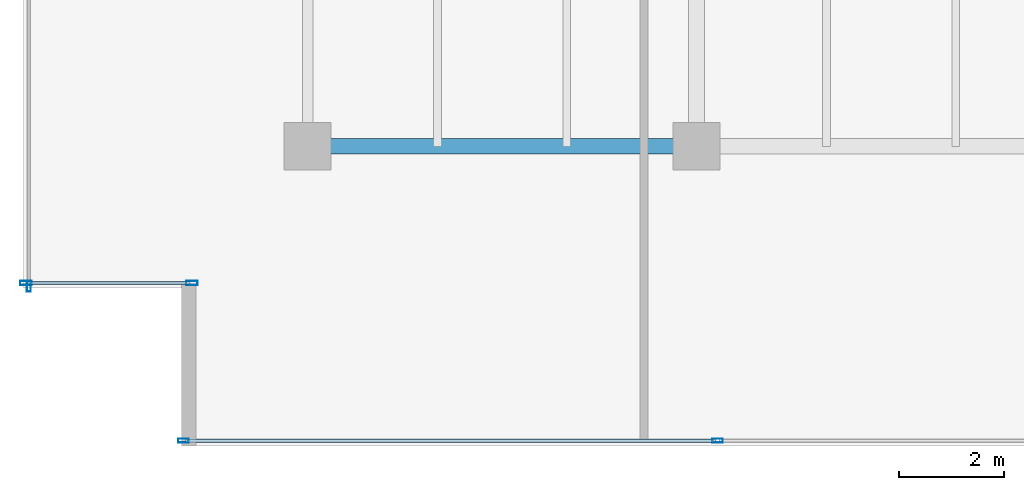
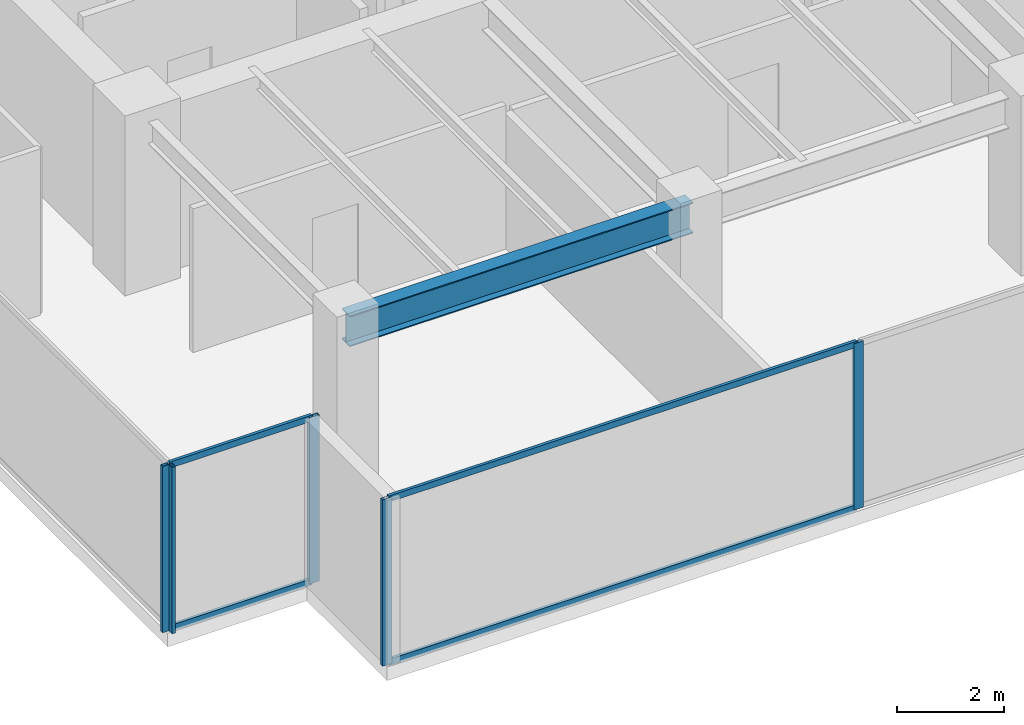
# One storey, part 2 of 30: 9 members, 1 beam, 3 elements without a shape of their own.
"""IFC4 building model written with IfcOpenShell, lengths in metres."""

from ifc_helpers import new_model, si_unit, direction, frame, origin, origin_2d, place, context, subcontext, project, spatial, hollow_rectangle, i_section, extrude, source, transform, mapped, material, layer, layer_set, material_profile, profile_set, type_object, type_shapes, element, aggregate, save


model = new_model("IFC4")

# Units and contexts
model_context = context("Model", 3, precision=1e-05, world=origin(), true_north=direction((0.0, 1.0)))
body_context = subcontext(model_context, "Body", "Model", "MODEL_VIEW")
ifc_project = project(units=[si_unit("LENGTHUNIT", "METRE"), si_unit("AREAUNIT", "SQUARE_METRE"), si_unit("VOLUMEUNIT", "CUBIC_METRE"), si_unit("PLANEANGLEUNIT", "RADIAN"), si_unit("MASSUNIT", "GRAM", prefix="KILO")], contexts=[model_context])

# Site, building, storey
site_placement = place(None, origin())
site = spatial("IfcSite", under=ifc_project, at=site_placement, CompositionType="ELEMENT")
building_placement = place(site_placement, origin())
building = spatial("IfcBuilding", under=site, at=building_placement, Name="Haelvirn Gate Laboratories", CompositionType="ELEMENT")
storey_placement = place(building_placement, frame((0.0, 0.0, 129.699951171875)))
storey = spatial("IfcBuildingStorey", under=building, at=storey_placement, Name="L31", CompositionType="ELEMENT", Elevation=129.699951171875)

# Beam
ifc_material_1 = material(Name="Steel SM355", Category="steel")
ifc_material_profile_1 = material_profile(ifc_material_1, i_section(OverallWidth=0.300048828125, OverallDepth=0.699951171875, WebThickness=0.012939453125, FlangeThickness=0.02392578125, at=origin_2d()), Name="H-700x300x13x24")
ifc_profile_set_1 = profile_set([ifc_material_profile_1], Name="Steel SM355")
beam_type = type_object("IfcBeamType", Name="BM-G-700", PredefinedType="BEAM", material=ifc_profile_set_1)
shared_shape_1 = source(origin(), body_context, "Body", "SweptSolid", [
    extrude(i_section(OverallWidth=0.300048828125, OverallDepth=0.699951171875, WebThickness=0.012939453125, FlangeThickness=0.02392578125, at=origin_2d()), origin(), (0.0, 0.0, 1.0), 7.400146484375),
])
type_shapes(beam_type, [shared_shape_1])
beam_placement = place(storey_placement, frame((7.39990234375, 7.0, 3.43994140625), z_axis=(1.0, 0.0, 0.0), x_axis=(0.0, 1.0, 0.0)))
element("IfcBeam", 1, at=beam_placement, inside=storey, type_object=beam_type, Name="L31 Primary Girder Y7.0 (7.4-14.8)", PredefinedType="BEAM", context=body_context, shape_type="MappedRepresentation", body=[
    mapped(shared_shape_1, transform((0.0, 0.0, 0.0), scale=1.0)),
])

# Curtain wall, members
ifc_material_2 = material(Name="Anodised bronze unitised aluminium & triple low-E glass", Category="aluminium")
ifc_layer_1 = layer(ifc_material_2, 0.179931640625, Name="CW-SYS-3")
ifc_layer_set_1 = layer_set([ifc_layer_1], Name="Anodised bronze unitised aluminium & triple low-E glass")
curtain_wall_type_1 = type_object("IfcCurtainWallType", Name="CW-SYS-3", PredefinedType="NOTDEFINED", material=ifc_layer_set_1)
curtain_wall_1_placement = place(storey_placement, origin())
curtain_wall_1 = element("IfcCurtainWall", 2, at=curtain_wall_1_placement, inside=storey, type_object=curtain_wall_type_1, Name="L31 Unitised Curtain Wall CW-L31-P0-E00-1", PredefinedType="NOTDEFINED")
ifc_material_3 = material(Name="Extruded aluminium 6063-T6 (anodised bronze)", Category="aluminium")
ifc_material_profile_2 = material_profile(ifc_material_3, hollow_rectangle(XDim=0.06494140625, YDim=0.139892578125, WallThickness=0.00390625, at=origin_2d()), Name="CWT-140x65x4")
ifc_profile_set_2 = profile_set([ifc_material_profile_2], Name="Extruded aluminium 6063-T6 (anodised bronze)")
member_type_1 = type_object("IfcMemberType", Name="CWT-T140", PredefinedType="USERDEFINED", material=ifc_profile_set_2)
shared_shape_2 = source(origin(), body_context, "Body", "SweptSolid", [
    extrude(hollow_rectangle(XDim=0.06494140625, YDim=0.139892578125, WallThickness=0.00390625, at=origin_2d()), origin(), (0.0, 0.0, 1.0), 10.087646484375),
])
member_1_placement = place(storey_placement, frame((5.074951171875, 1.39990234375, 0.032470703125), z_axis=(1.0, 0.0, 0.0), x_axis=(0.0, 1.0, 0.0)))
member_1 = element("IfcMember", 3, at=member_1_placement, type_object=member_type_1, Name="CW3 transom 1.1", ObjectType="TRANSOM", PredefinedType="USERDEFINED", context=body_context, shape_type="MappedRepresentation", body=[
    mapped(shared_shape_2, transform((0.0, 0.0, 0.0), scale=1.0)),
])
member_2_placement = place(storey_placement, frame((5.074951171875, 1.39990234375, 3.757568359375), z_axis=(1.0, 0.0, 0.0), x_axis=(0.0, 1.0, 0.0)))
member_2 = element("IfcMember", 4, at=member_2_placement, type_object=member_type_1, Name="CW3 transom 1.2", ObjectType="TRANSOM", PredefinedType="USERDEFINED", context=body_context, shape_type="MappedRepresentation", body=[
    mapped(shared_shape_2, transform((0.0, 0.0, 0.0), scale=1.0)),
])

ifc_layer_2 = layer(ifc_material_2, 0.181884765625, Name="CW-SYS-5")
ifc_layer_set_2 = layer_set([ifc_layer_2], Name="Anodised bronze unitised aluminium & triple low-E glass")
curtain_wall_type_2 = type_object("IfcCurtainWallType", Name="CW-SYS-5", PredefinedType="NOTDEFINED", material=ifc_layer_set_2)
curtain_wall_2_placement = place(storey_placement, origin())
curtain_wall_2 = element("IfcCurtainWall", 5, at=curtain_wall_2_placement, inside=storey, type_object=curtain_wall_type_2, Name="L31 Unitised Curtain Wall CW-L31-P0-E18-1", PredefinedType="NOTDEFINED")
shared_shape_3 = source(origin(), body_context, "Body", "SweptSolid", [
    extrude(hollow_rectangle(XDim=0.06494140625, YDim=0.139892578125, WallThickness=0.00390625, at=origin_2d()), origin(), (0.0, 0.0, 1.0), 3.079833984375),
])
type_shapes(member_type_1, [shared_shape_2, shared_shape_3])
member_3_placement = place(storey_placement, frame((2.080078125, 4.39990234375, 0.032470703125), z_axis=(1.0, 0.0, 0.0), x_axis=(0.0, 1.0, 0.0)))
member_3 = element("IfcMember", 6, at=member_3_placement, type_object=member_type_1, Name="CW5 transom 1.1", ObjectType="TRANSOM", PredefinedType="USERDEFINED", context=body_context, shape_type="MappedRepresentation", body=[
    mapped(shared_shape_3, transform((0.0, 0.0, 0.0), scale=1.0)),
])
member_4_placement = place(storey_placement, frame((2.080078125, 4.39990234375, 3.757568359375), z_axis=(1.0, 0.0, 0.0), x_axis=(0.0, 1.0, 0.0)))
member_4 = element("IfcMember", 7, at=member_4_placement, type_object=member_type_1, Name="CW5 transom 1.2", ObjectType="TRANSOM", PredefinedType="USERDEFINED", context=body_context, shape_type="MappedRepresentation", body=[
    mapped(shared_shape_3, transform((0.0, 0.0, 0.0), scale=1.0)),
])

# Member
ifc_material_profile_3 = material_profile(ifc_material_3, hollow_rectangle(XDim=0.074951171875, YDim=0.199951171875, WallThickness=0.0048828125, at=origin_2d()), Name="CWM-200x75x5")
ifc_profile_set_3 = profile_set([ifc_material_profile_3], Name="Extruded aluminium 6063-T6 (anodised bronze)")
member_type_2 = type_object("IfcMemberType", Name="CWM-T200", PredefinedType="MULLION", material=ifc_profile_set_3)
shared_shape_4 = source(origin(), body_context, "Body", "SweptSolid", [
    extrude(hollow_rectangle(XDim=0.074951171875, YDim=0.199951171875, WallThickness=0.0048828125, at=origin_2d()), origin(), (0.0, 0.0, 1.0), 3.7900390625),
])
type_shapes(member_type_2, [shared_shape_4])
member_5_placement = place(storey_placement, frame((5.03759765625, 1.39990234375, 0.0), z_axis=(0.0, 0.0, 1.0), x_axis=(0.0, 1.0, 0.0)))
member_5 = element("IfcMember", 8, at=member_5_placement, type_object=member_type_2, Name="CW3 mullion 1", PredefinedType="MULLION", context=body_context, shape_type="MappedRepresentation", body=[
    mapped(shared_shape_4, transform((0.0, 0.0, 0.0), scale=1.0)),
])

member_6_placement = place(storey_placement, frame((15.199951171875, 1.39990234375, 0.0), z_axis=(0.0, 0.0, 1.0), x_axis=(0.0, 1.0, 0.0)))
member_6 = element("IfcMember", 9, at=member_6_placement, type_object=member_type_2, Name="CW3 mullion 2", PredefinedType="MULLION", context=body_context, shape_type="MappedRepresentation", body=[
    mapped(shared_shape_4, transform((0.0, 0.0, 0.0), scale=1.0)),
])

aggregate(curtain_wall_1, [member_5, member_6, member_1, member_2])

# Curtain wall, member
curtain_wall_3_placement = place(storey_placement, origin())
curtain_wall_3 = element("IfcCurtainWall", 10, at=curtain_wall_3_placement, inside=storey, type_object=curtain_wall_type_1, Name="L31 Unitised Curtain Wall CW-L31-P0-E17", PredefinedType="NOTDEFINED")
member_7_placement = place(storey_placement, frame((2.10009765625, 4.33740234375, 0.0), z_axis=(0.0, 0.0, 1.0), x_axis=(1.0, 0.0, 0.0)))
member_7 = element("IfcMember", 11, at=member_7_placement, type_object=member_type_2, Name="CW3 mullion 4", PredefinedType="MULLION", context=body_context, shape_type="MappedRepresentation", body=[
    mapped(shared_shape_4, transform((0.0, 0.0, 0.0), scale=1.0)),
])
aggregate(curtain_wall_3, [member_7])

# Member
ifc_material_profile_4 = material_profile(ifc_material_3, hollow_rectangle(XDim=0.080078125, YDim=0.219970703125, WallThickness=0.006103515625, at=origin_2d()), Name="CWM-220x80x6")
ifc_profile_set_4 = profile_set([ifc_material_profile_4], Name="Extruded aluminium 6063-T6 (anodised bronze)")
member_type_3 = type_object("IfcMemberType", Name="CWM-T220", PredefinedType="MULLION", material=ifc_profile_set_4)
shared_shape_5 = source(origin(), body_context, "Body", "SweptSolid", [
    extrude(hollow_rectangle(XDim=0.080078125, YDim=0.219970703125, WallThickness=0.006103515625, at=origin_2d()), origin(), (0.0, 0.0, 1.0), 3.7900390625),
])
type_shapes(member_type_3, [shared_shape_5])
member_8_placement = place(storey_placement, frame((2.0400390625, 4.39990234375, 0.0), z_axis=(0.0, 0.0, 1.0), x_axis=(0.0, 1.0, 0.0)))
member_8 = element("IfcMember", 12, at=member_8_placement, type_object=member_type_3, Name="CW5 mullion 1", PredefinedType="MULLION", context=body_context, shape_type="MappedRepresentation", body=[
    mapped(shared_shape_5, transform((0.0, 0.0, 0.0), scale=1.0)),
])

member_9_placement = place(storey_placement, frame((5.199951171875, 4.39990234375, 0.0), z_axis=(0.0, 0.0, 1.0), x_axis=(0.0, 1.0, 0.0)))
member_9 = element("IfcMember", 13, at=member_9_placement, type_object=member_type_3, Name="CW5 mullion 2", PredefinedType="MULLION", context=body_context, shape_type="MappedRepresentation", body=[
    mapped(shared_shape_5, transform((0.0, 0.0, 0.0), scale=1.0)),
])

aggregate(curtain_wall_2, [member_8, member_9, member_3, member_4])

save(model, "model.ifc")
